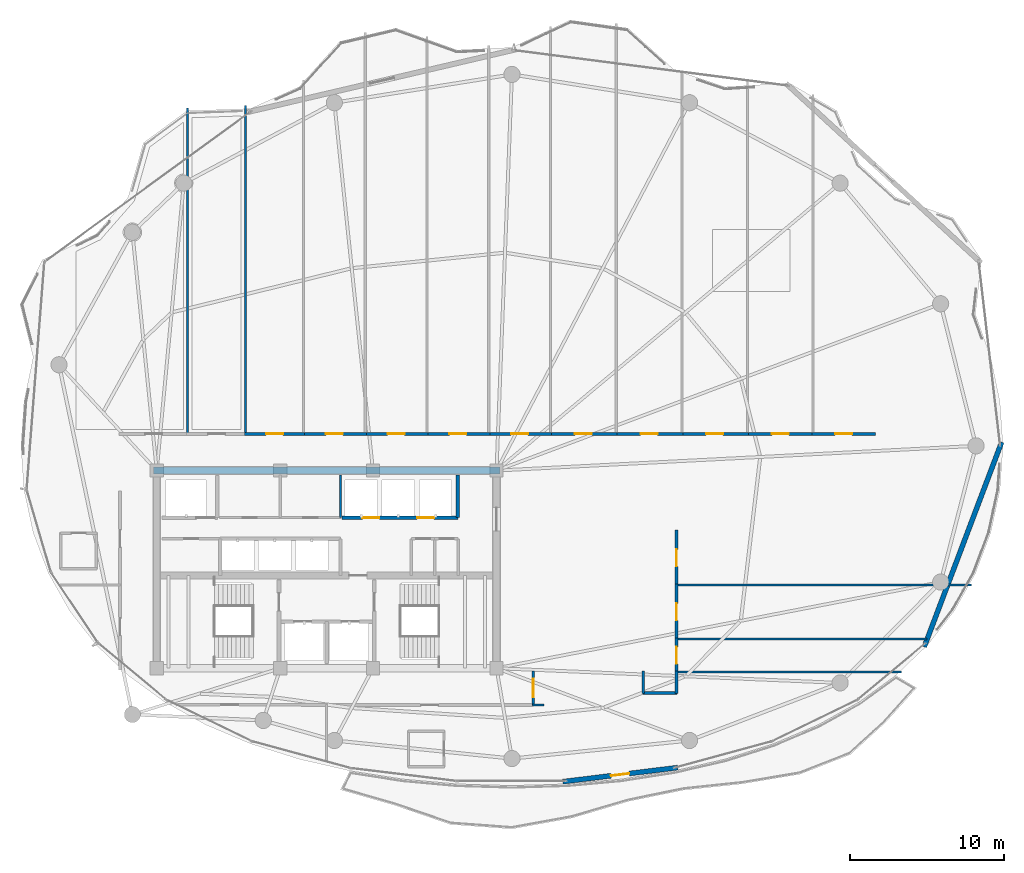
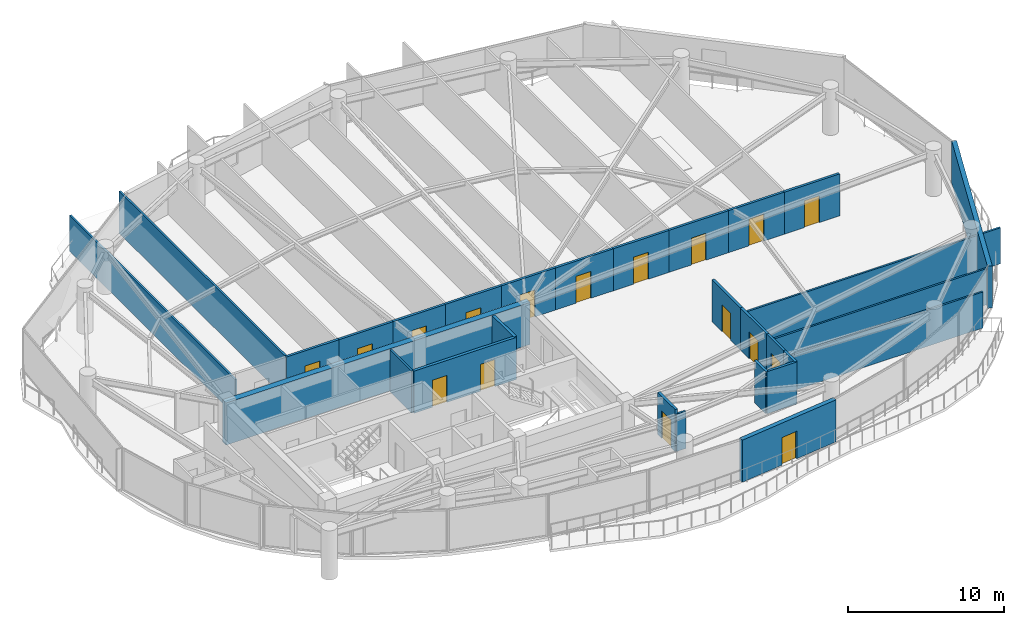
# One storey, part 26 of 31: 29 walls, 17 doors, 17 openings.
"""IFC4 building model written with IfcOpenShell, lengths in metres."""

import ifcopenshell
import ifcopenshell.guid

model = None  # the IFC model being written
_history = None  # IfcOwnerHistory: only IFC2X3 demands one
_inside = {}  # id of a spatial element -> (the spatial element, [elements in it])
_under = {}  # id of a project, library or spatial element -> (it, [spatial elements below it])
_declared = {}  # id of a project -> (the project, [libraries it declares])
_typed = {}  # id of a type object -> (the type object, [elements of that type])
_made_of = {}  # id of a material, layer set ... -> (it, [elements and type objects made of it])


def new_model(schema):
    """Start an empty IFC model of exactly this schema.

    Asked for "IFC4X3", IfcOpenShell would pick the latest addendum, in which some entities
    have other attributes; the version numbers below select the first issue.
    IFC2X3 requires an IfcOwnerHistory on every rooted entity: one is made here for all.
    """
    global model, _history
    if schema == "IFC4X3":
        model = ifcopenshell.file(schema_version=(4, 3, 0, 0))
    else:
        model = ifcopenshell.file(schema=schema)
    _inside.clear()
    _under.clear()
    _declared.clear()
    _typed.clear()
    _made_of.clear()
    _history = None
    if model.schema == "IFC2X3":
        org = make("IfcOrganization", Name="unknown")
        user = make(
            "IfcPersonAndOrganization",
            ThePerson=make("IfcPerson", FamilyName="unknown"),
            TheOrganization=org,
        )
        app = make(
            "IfcApplication",
            ApplicationDeveloper=org,
            Version="unknown",
            ApplicationFullName="unknown",
            ApplicationIdentifier="unknown",
        )
        _history = make(
            "IfcOwnerHistory",
            OwningUser=user,
            OwningApplication=app,
            ChangeAction="ADDED",
            CreationDate=0,
        )
    return model


def make(cls, **values):
    """One entity of the class cls with the attributes given. An attribute that is None is left unset."""
    return model.create_entity(
        cls, **{name: value for name, value in values.items() if value is not None}
    )


def rooted(cls, **values):
    """An entity with a GlobalId (a new one), such as an element, a storey or a relation."""
    return make(cls, GlobalId=ifcopenshell.guid.new(), OwnerHistory=_history, **values)


def si_unit(unit_type, name, prefix=None):
    """IfcSIUnit, for example si_unit("LENGTHUNIT", "METRE", prefix="MILLI")."""
    return make("IfcSIUnit", UnitType=unit_type, Prefix=prefix, Name=name)


def assignment(units):
    """IfcUnitAssignment: the units of a project."""
    return None if units is None else make("IfcUnitAssignment", Units=units)


def point(xyz):
    """IfcCartesianPoint."""
    return None if xyz is None else make("IfcCartesianPoint", Coordinates=xyz)


def direction(xyz):
    """IfcDirection."""
    return None if xyz is None else make("IfcDirection", DirectionRatios=xyz)


def frame(location, z_axis=None, x_axis=None):
    """IfcAxis2Placement3D, a coordinate frame: its origin and axes. An axis left out is left unset."""
    return make(
        "IfcAxis2Placement3D",
        Location=point(location),
        Axis=direction(z_axis),
        RefDirection=direction(x_axis),
    )


def frame_2d(location, x_axis=None):
    """IfcAxis2Placement2D, a coordinate frame in the plane: its origin and x axis."""
    return make(
        "IfcAxis2Placement2D", Location=point(location), RefDirection=direction(x_axis)
    )


def origin():
    """The frame at (0, 0, 0) with its axes left unset."""
    return frame((0.0, 0.0, 0.0))


def place(relative_to, where):
    """IfcLocalPlacement: puts the frame where relative to a parent placement (None: the world)."""
    return make(
        "IfcLocalPlacement", PlacementRelTo=relative_to, RelativePlacement=where
    )


def context(
    kind, dimensions, precision=None, world=None, true_north=None, identifier=None
):
    """IfcGeometricRepresentationContext, for example the 3D "Model" context."""
    return make(
        "IfcGeometricRepresentationContext",
        ContextIdentifier=identifier,
        ContextType=kind,
        CoordinateSpaceDimension=dimensions,
        Precision=precision,
        WorldCoordinateSystem=world,
        TrueNorth=true_north,
    )


def subcontext(parent, identifier, kind, view, scale=None):
    """IfcGeometricRepresentationSubContext, for example "Body" below "Model"."""
    return make(
        "IfcGeometricRepresentationSubContext",
        ContextIdentifier=identifier,
        ContextType=kind,
        ParentContext=parent,
        TargetScale=scale,
        TargetView=view,
    )


def project(units=None, contexts=None):
    """IfcProject with its units and contexts."""
    return rooted(
        "IfcProject",
        Name="project",
        RepresentationContexts=contexts,
        UnitsInContext=assignment(units),
    )


def spatial(cls, under=None, at=None, **own):
    """A site, building, storey or space (cls), placed at a placement, below another one or the project."""
    s = rooted(cls, ObjectPlacement=at, **own)
    if under is not None:
        _under.setdefault(under.id(), (under, []))[1].append(s)
    return s


def profile(cls, at=None, kind="AREA", **sizes):
    """A parametric profile (cls). Its sizes go by their IFC names, for example OverallWidth=200.0."""
    return make(cls, ProfileType=kind, Position=at, **sizes)


def rectangle(**sizes):
    """IfcRectangleProfileDef."""
    return profile("IfcRectangleProfileDef", **sizes)


def extrude(swept, where, along, depth):
    """IfcExtrudedAreaSolid: the profile swept, set in the frame where, extruded along a direction by depth."""
    return make(
        "IfcExtrudedAreaSolid",
        SweptArea=swept,
        Position=where,
        ExtrudedDirection=direction(along),
        Depth=depth,
    )


def shape(context_of_items, identifier, shape_type, items):
    """IfcShapeRepresentation: the items that make up one representation, for example the "Body"."""
    return make(
        "IfcShapeRepresentation",
        ContextOfItems=context_of_items,
        RepresentationIdentifier=identifier,
        RepresentationType=shape_type,
        Items=items,
    )


def material(Name=None, Category=None):
    """IfcMaterial."""
    return make("IfcMaterial", Name=Name, Category=Category)


def layer(
    of_material, thickness, ventilated=None, Name=None, Category=None, Priority=None
):
    """IfcMaterialLayer: one layer of a wall or slab, of a material (None: an air gap)."""
    return make(
        "IfcMaterialLayer",
        Material=of_material,
        LayerThickness=thickness,
        IsVentilated=ventilated,
        Name=Name,
        Category=Category,
        Priority=Priority,
    )


def layer_set(layers, Name=None):
    """IfcMaterialLayerSet."""
    return make("IfcMaterialLayerSet", MaterialLayers=layers, LayerSetName=Name)


def made_of(thing, what):
    """Note that an element or type object is made of a material, layer set ...; save() writes the relation."""
    if what is not None:
        _made_of.setdefault(what.id(), (what, []))[1].append(thing)
    return thing


def type_object(cls, material=None, **own):
    """A type object (cls), such as IfcWallType, which elements share."""
    return made_of(rooted(cls, **own), material)


def element(
    cls,
    number,
    at=None,
    inside=None,
    cuts=None,
    type_object=None,
    material=None,
    context=None,
    identifier="Body",
    shape_type=None,
    held_by="IfcProductDefinitionShape",
    body=None,
    shapes=None,
    **own,
):
    """One element of the class cls, such as IfcWall. Its Tag is "e" and its number.

    at: its placement. inside: the storey or other place that contains it. cuts: it is an
    opening in that element (IfcRelVoidsElement). A single representation is given by context,
    identifier, shape_type and body (its items); several are given by shapes. held_by: the class
    of the entity that holds the representations. save() writes the other relations.
    """
    e = rooted(cls, Tag="e%d" % number, ObjectPlacement=at, **own)
    if body is not None:
        shapes = [shape(context, identifier, shape_type, body)]
    if shapes is not None:
        e.Representation = make(held_by, Representations=shapes)
    if inside is not None:
        _inside.setdefault(inside.id(), (inside, []))[1].append(e)
    if cuts is not None:
        rooted(
            "IfcRelVoidsElement", RelatingBuildingElement=cuts, RelatedOpeningElement=e
        )
    if type_object is not None:
        _typed.setdefault(type_object.id(), (type_object, []))[1].append(e)
    return made_of(e, material)


def fill(opening, filler):
    """IfcRelFillsElement: the door or window that sits in an opening."""
    return rooted(
        "IfcRelFillsElement",
        RelatingOpeningElement=opening,
        RelatedBuildingElement=filler,
    )


def aggregate(whole, parts):
    """IfcRelAggregates: a whole, such as a stair, and the parts it consists of."""
    return rooted("IfcRelAggregates", RelatingObject=whole, RelatedObjects=parts)


def save(model, path):
    """Write the relations noted so far, then the file.

    IfcRelAggregates (storeys below a building ...), IfcRelContainedInSpatialStructure (elements
    in a storey), IfcRelDefinesByType, IfcRelAssociatesMaterial and IfcRelDeclares: one each for
    every whole, place, type object, material and project.
    """
    for whole, parts in _under.values():
        aggregate(whole, parts)
    for where, things in _inside.values():
        rooted(
            "IfcRelContainedInSpatialStructure",
            RelatedElements=things,
            RelatingStructure=where,
        )
    for kind, things in _typed.values():
        rooted("IfcRelDefinesByType", RelatedObjects=things, RelatingType=kind)
    for what, things in _made_of.values():
        rooted("IfcRelAssociatesMaterial", RelatedObjects=things, RelatingMaterial=what)
    for by, libraries in _declared.values():
        rooted("IfcRelDeclares", RelatingContext=by, RelatedDefinitions=libraries)
    model.write(path)


model = new_model("IFC4")

# Units and contexts
model_context = context("Model", 3, precision=1e-05, world=origin(), true_north=direction((0.0, 1.0)))
body_context = subcontext(model_context, "Body", "Model", "MODEL_VIEW")
ifc_project = project(units=[si_unit("LENGTHUNIT", "METRE"), si_unit("AREAUNIT", "SQUARE_METRE"), si_unit("VOLUMEUNIT", "CUBIC_METRE"), si_unit("PLANEANGLEUNIT", "RADIAN"), si_unit("MASSUNIT", "GRAM", prefix="KILO")], contexts=[model_context])

# Site, building, storey
site_placement = place(None, origin())
site = spatial("IfcSite", under=ifc_project, at=site_placement, CompositionType="ELEMENT")
building_placement = place(site_placement, origin())
building = spatial("IfcBuilding", under=site, at=building_placement, Name="Kazevale Care Tower and Concert Hall", CompositionType="ELEMENT")
storey_placement = place(building_placement, frame((0.0, 0.0, 187.199951171875)))
storey = spatial("IfcBuildingStorey", under=building, at=storey_placement, Name="L49", CompositionType="ELEMENT", Elevation=187.199951171875)

# Walls
ifc_material_1 = material(Name="Acoustic Gypsum on Steel Stud", Category="steel")
ifc_layer_1 = layer(ifc_material_1, 0.139892578125)
ifc_layer_set_1 = layer_set([ifc_layer_1], Name="Acoustic Gypsum on Steel Stud")
wall_type_1 = type_object("IfcWallType", Name="Acoustic Care & Suite Partition 140", PredefinedType="PARTITIONING", material=ifc_layer_set_1)
wall_1_placement = place(storey_placement, frame((33.89990234375, 33.35009765625, 0.0), z_axis=(0.0, 0.0, 1.0), x_axis=(0.0, 1.0, 0.0)))
element("IfcWall", 1, at=wall_1_placement, inside=storey, type_object=wall_type_1, Name="wall:L49:c_rpl_e", PredefinedType="PARTITIONING", context=body_context, shape_type="SweptSolid", body=[
    extrude(rectangle(XDim=2.75, YDim=0.139892578125, at=frame_2d((1.375, 0.0))), origin(), (0.0, 0.0, 1.0), 3.280029296875),
])
wall_2_placement = place(storey_placement, frame((24.0, 59.884033203125, 0.0), z_axis=(0.0, 0.0, 1.0), x_axis=(0.0, -1.0, 0.0)))
element("IfcWall", 2, at=wall_2_placement, inside=storey, type_object=wall_type_1, Name="wall:L49:auto_024", PredefinedType="PARTITIONING", context=body_context, shape_type="SweptSolid", body=[
    extrude(rectangle(XDim=21.138916015625, YDim=0.139892578125, at=frame_2d((10.5693359375, 0.0))), origin(), (0.0, 0.0, 1.0), 2.81005859375),
])
wall_3_placement = place(storey_placement, frame((27.75, 60.032958984375, 0.0), z_axis=(0.0, 0.0, 1.0), x_axis=(0.0, -1.0, 0.0)))
element("IfcWall", 3, at=wall_3_placement, inside=storey, type_object=wall_type_1, Name="wall:L49:auto_025", PredefinedType="PARTITIONING", context=body_context, shape_type="SweptSolid", body=[
    extrude(rectangle(XDim=21.287841796875, YDim=0.139892578125, at=frame_2d((10.64404296875, 0.0))), origin(), (0.0, 0.0, 1.0), 3.280029296875),
])
wall_4_placement = place(storey_placement, frame((55.6201171875, 23.360107421875, 0.0), z_axis=(0.0, 0.0, 1.0), x_axis=(1.0, 0.0, 0.0)))
element("IfcWall", 4, at=wall_4_placement, inside=storey, type_object=wall_type_1, Name="wall:L49:auto_035", PredefinedType="PARTITIONING", context=body_context, shape_type="SweptSolid", body=[
    extrude(rectangle(XDim=14.594970703125, YDim=0.139892578125, at=frame_2d((7.29736328125, 0.0))), origin(), (0.0, 0.0, 1.0), 2.81005859375),
])
wall_5_placement = place(storey_placement, frame((47.06494140625, 21.22509765625, 0.0), z_axis=(0.0, 0.0, 1.0), x_axis=(-1.0, 0.0, 0.0)))
element("IfcWall", 5, at=wall_5_placement, inside=storey, type_object=wall_type_1, Name="wall:L49:auto_036", PredefinedType="PARTITIONING", context=body_context, shape_type="SweptSolid", body=[
    extrude(rectangle(XDim=0.719970703125, YDim=0.139892578125, at=frame_2d((0.35986328125, 0.0))), origin(), (0.0, 0.0, 1.0), 2.916015625),
])
wall_6_placement = place(storey_placement, frame((55.6201171875, 25.5, 0.0), z_axis=(0.0, 0.0, 1.0), x_axis=(1.0, 0.0, 0.0)))
element("IfcWall", 6, at=wall_6_placement, inside=storey, type_object=wall_type_1, Name="wall:L49:auto_037", PredefinedType="PARTITIONING", context=body_context, shape_type="SweptSolid", body=[
    extrude(rectangle(XDim=16.263916015625, YDim=0.139892578125, at=frame_2d((8.1318359375, 0.0))), origin(), (0.0, 0.0, 1.0), 2.81005859375),
])
wall_7_placement = place(storey_placement, frame((55.6201171875, 29.0, 0.0), z_axis=(0.0, 0.0, 1.0), x_axis=(1.0, 0.0, 0.0)))
element("IfcWall", 7, at=wall_7_placement, inside=storey, type_object=wall_type_1, Name="wall:L49:auto_038", PredefinedType="PARTITIONING", context=body_context, shape_type="SweptSolid", body=[
    extrude(rectangle(XDim=19.14990234375, YDim=0.139892578125, at=frame_2d((9.574951171875, 0.0))), origin(), (0.0, 0.0, 1.0), 2.81005859375),
])
ifc_material_2 = material(Name="Concrete C50", Category="concrete")
ifc_layer_2 = layer(ifc_material_2, 0.449951171875)
ifc_layer_set_2 = layer_set([ifc_layer_2], Name="Concrete C50")
wall_type_2 = type_object("IfcWallType", Name="Core Shear Wall 450 C50", PredefinedType="SHEAR", material=ifc_layer_set_2)
wall_8_placement = place(storey_placement, frame((21.77490234375, 36.39990234375, 0.0), z_axis=(0.0, 0.0, 1.0), x_axis=(1.0, 0.0, 0.0)))
element("IfcWall", 8, at=wall_8_placement, inside=storey, type_object=wall_type_2, Name="wall:L49:core:N", PredefinedType="SHEAR", context=body_context, shape_type="SweptSolid", body=[
    extrude(rectangle(XDim=22.4501953125, YDim=0.449951171875, at=frame_2d((11.22509765625, 0.0))), origin(), (0.0, 0.0, 1.0), 3.280029296875),
])

# Wall, openings, doors
ifc_material_3 = material(Name="Concrete C40", Category="concrete")
ifc_layer_3 = layer(ifc_material_3, 0.219970703125)
ifc_layer_set_3 = layer_set([ifc_layer_3], Name="Concrete C40")
wall_type_3 = type_object("IfcWallType", Name="Elevator Hoistway Shaft Wall 220", PredefinedType="SOLIDWALL", material=ifc_layer_set_3)
wall_9_placement = place(storey_placement, frame((33.97998046875, 33.35009765625, 0.0), z_axis=(0.0, 0.0, 1.0), x_axis=(1.0, 0.0, 0.0)))
wall_9 = element("IfcWall", 9, at=wall_9_placement, inside=storey, type_object=wall_type_3, Name="wall:L49:c_pm_s", PredefinedType="SOLIDWALL", context=body_context, shape_type="SweptSolid", body=[
    extrude(rectangle(XDim=7.5400390625, YDim=0.219970703125, at=frame_2d((3.77001953125, 0.0))), origin(), (0.0, 0.0, 1.0), 3.280029296875),
])
opening_1_placement = place(wall_9_placement, frame((1.3349609375, 0.0, 0.0)))
opening_1 = element("IfcOpeningElement", 10, at=opening_1_placement, cuts=wall_9, Name="Opening LD-PAX", PredefinedType="OPENING", context=body_context, shape_type="SweptSolid", body=[
    extrude(rectangle(XDim=1.10009765625, YDim=2.10009765625, at=frame_2d((0.550048828125, 1.050048828125))), frame((0.0, 0.119873046875, 0.0), z_axis=(0.0, -1.0, 0.0), x_axis=(1.0, 0.0, 0.0)), (0.0, 0.0, 1.0), 0.239990234375),
])
opening_2_placement = place(wall_9_placement, frame((4.87890625, 0.0, 0.0)))
opening_2 = element("IfcOpeningElement", 11, at=opening_2_placement, cuts=wall_9, Name="Opening LD-PAX", PredefinedType="OPENING", context=body_context, shape_type="SweptSolid", body=[
    extrude(rectangle(XDim=1.10009765625, YDim=2.10009765625, at=frame_2d((0.550048828125, 1.050048828125))), frame((0.0, 0.119873046875, 0.0), z_axis=(0.0, -1.0, 0.0), x_axis=(1.0, 0.0, 0.0)), (0.0, 0.0, 1.0), 0.239990234375),
])
ifc_material_4 = material(Name="Stainless Steel 316", Category="steel")
door_type_1 = type_object("IfcDoorType", Name="Passenger Lift Sliding Landing Door 1100x2100", OperationType="NOTDEFINED", PredefinedType="DOOR", material=ifc_material_4)
door_1_placement = place(opening_1_placement, origin())
door_1 = element("IfcDoor", 12, at=door_1_placement, inside=storey, type_object=door_type_1, Name="door:L49:ld_pm1", OperationType="SLIDING_TO_LEFT", OverallHeight=2.10009765625, OverallWidth=1.10009765625, PredefinedType="DOOR", context=body_context, shape_type="SweptSolid", body=[
    extrude(rectangle(XDim=1.10009765625, YDim=2.10009765625, at=frame_2d((0.550048828125, 1.050048828125))), frame((0.0, 0.02490234375, 0.0), z_axis=(0.0, -1.0, 0.0), x_axis=(1.0, 0.0, 0.0)), (0.0, 0.0, 1.0), 0.050048828125),
])
fill(opening_1, door_1)
door_2_placement = place(opening_2_placement, origin())
door_2 = element("IfcDoor", 13, at=door_2_placement, inside=storey, type_object=door_type_1, Name="door:L49:ld_pm2", OperationType="SLIDING_TO_RIGHT", OverallHeight=2.10009765625, OverallWidth=1.10009765625, PredefinedType="DOOR", context=body_context, shape_type="SweptSolid", body=[
    extrude(rectangle(XDim=1.10009765625, YDim=2.10009765625, at=frame_2d((0.550048828125, 1.050048828125))), frame((0.0, 0.02490234375, 0.0), z_axis=(0.0, -1.0, 0.0), x_axis=(1.0, 0.0, 0.0)), (0.0, 0.0, 1.0), 0.050048828125),
])
fill(opening_2, door_2)

# Wall
wall_10_placement = place(storey_placement, frame((41.5, 33.35009765625, 0.0), z_axis=(0.0, 0.0, 1.0), x_axis=(0.0, 1.0, 0.0)))
element("IfcWall", 14, at=wall_10_placement, inside=storey, type_object=wall_type_3, Name="wall:L49:c_pm_e", PredefinedType="SOLIDWALL", context=body_context, shape_type="SweptSolid", body=[
    extrude(rectangle(XDim=2.75, YDim=0.219970703125, at=frame_2d((1.375, 0.0))), origin(), (0.0, 0.0, 1.0), 3.280029296875),
])

# Wall, opening, door
ifc_material_5 = material(Name="Concrete C40 and Acoustic Gypsum", Category="concrete")
ifc_layer_4 = layer(ifc_material_5, 0.179931640625)
ifc_layer_set_4 = layer_set([ifc_layer_4], Name="Concrete C40 and Acoustic Gypsum")
wall_type_4 = type_object("IfcWallType", Name="Fire-Rated Corridor & Party Wall 180", PredefinedType="PARTITIONING", material=ifc_layer_set_4)
wall_11_placement = place(storey_placement, frame((27.68505859375, 38.77490234375, 0.0), z_axis=(0.0, 0.0, 1.0), x_axis=(1.0, 0.0, 0.0)))
wall_11 = element("IfcWall", 15, at=wall_11_placement, inside=storey, type_object=wall_type_4, Name="wall:L49:auto_003", PredefinedType="PARTITIONING", context=body_context, shape_type="SweptSolid", body=[
    extrude(rectangle(XDim=3.8798828125, YDim=0.179931640625, at=frame_2d((1.93994140625, 0.0))), origin(), (0.0, 0.0, 1.0), 3.280029296875),
])
opening_3_placement = place(wall_11_placement, frame((1.389892578125, 0.0, 0.0)))
opening_3 = element("IfcOpeningElement", 16, at=opening_3_placement, cuts=wall_11, Name="Opening ID-1100", PredefinedType="OPENING", context=body_context, shape_type="SweptSolid", body=[
    extrude(rectangle(XDim=1.10009765625, YDim=2.10009765625, at=frame_2d((0.550048828125, 1.050048828125))), frame((0.0, 0.099853515625, 0.0), z_axis=(0.0, -1.0, 0.0), x_axis=(1.0, 0.0, 0.0)), (0.0, 0.0, 1.0), 0.199951171875),
])
ifc_material_6 = material(Name="Oak Timber Fire Leaf", Category="wood")
door_type_2 = type_object("IfcDoorType", Name="Care Bedroom Accessible Door 1100x2100", OperationType="NOTDEFINED", PredefinedType="DOOR", material=ifc_material_6)
door_3_placement = place(opening_3_placement, origin())
door_3 = element("IfcDoor", 17, at=door_3_placement, inside=storey, type_object=door_type_2, Name="door:L49:ad_003", OperationType="SINGLE_SWING_LEFT", OverallHeight=2.10009765625, OverallWidth=1.10009765625, PredefinedType="DOOR", context=body_context, shape_type="SweptSolid", body=[
    extrude(rectangle(XDim=1.10009765625, YDim=2.10009765625, at=frame_2d((0.550048828125, 1.050048828125))), frame((0.0, 0.02490234375, 0.0), z_axis=(0.0, -1.0, 0.0), x_axis=(1.0, 0.0, 0.0)), (0.0, 0.0, 1.0), 0.050048828125),
])
fill(opening_3, door_3)

wall_12_placement = place(storey_placement, frame((31.43505859375, 38.77490234375, 0.0), z_axis=(0.0, 0.0, 1.0), x_axis=(1.0, 0.0, 0.0)))
wall_12 = element("IfcWall", 18, at=wall_12_placement, inside=storey, type_object=wall_type_4, Name="wall:L49:auto_004", PredefinedType="PARTITIONING", context=body_context, shape_type="SweptSolid", body=[
    extrude(rectangle(XDim=4.1298828125, YDim=0.179931640625, at=frame_2d((2.06494140625, 0.0))), origin(), (0.0, 0.0, 1.0), 3.280029296875),
])
opening_4_placement = place(wall_12_placement, frame((1.514892578125, 0.0, 0.0)))
opening_4 = element("IfcOpeningElement", 19, at=opening_4_placement, cuts=wall_12, Name="Opening ID-1100", PredefinedType="OPENING", context=body_context, shape_type="SweptSolid", body=[
    extrude(rectangle(XDim=1.10009765625, YDim=2.10009765625, at=frame_2d((0.550048828125, 1.050048828125))), frame((0.0, 0.099853515625, 0.0), z_axis=(0.0, -1.0, 0.0), x_axis=(1.0, 0.0, 0.0)), (0.0, 0.0, 1.0), 0.199951171875),
])
door_4_placement = place(opening_4_placement, origin())
door_4 = element("IfcDoor", 20, at=door_4_placement, inside=storey, type_object=door_type_2, Name="door:L49:ad_004", OperationType="SINGLE_SWING_LEFT", OverallHeight=2.10009765625, OverallWidth=1.10009765625, PredefinedType="DOOR", context=body_context, shape_type="SweptSolid", body=[
    extrude(rectangle(XDim=1.10009765625, YDim=2.10009765625, at=frame_2d((0.550048828125, 1.050048828125))), frame((0.0, 0.02490234375, 0.0), z_axis=(0.0, -1.0, 0.0), x_axis=(1.0, 0.0, 0.0)), (0.0, 0.0, 1.0), 0.050048828125),
])
fill(opening_4, door_4)

wall_13_placement = place(storey_placement, frame((35.43505859375, 38.77490234375, 0.0), z_axis=(0.0, 0.0, 1.0), x_axis=(1.0, 0.0, 0.0)))
wall_13 = element("IfcWall", 21, at=wall_13_placement, inside=storey, type_object=wall_type_4, Name="wall:L49:auto_005", PredefinedType="PARTITIONING", context=body_context, shape_type="SweptSolid", body=[
    extrude(rectangle(XDim=4.1298828125, YDim=0.179931640625, at=frame_2d((2.06494140625, 0.0))), origin(), (0.0, 0.0, 1.0), 3.280029296875),
])
opening_5_placement = place(wall_13_placement, frame((1.514892578125, 0.0, 0.0)))
opening_5 = element("IfcOpeningElement", 22, at=opening_5_placement, cuts=wall_13, Name="Opening ID-1100", PredefinedType="OPENING", context=body_context, shape_type="SweptSolid", body=[
    extrude(rectangle(XDim=1.10009765625, YDim=2.10009765625, at=frame_2d((0.550048828125, 1.050048828125))), frame((0.0, 0.099853515625, 0.0), z_axis=(0.0, -1.0, 0.0), x_axis=(1.0, 0.0, 0.0)), (0.0, 0.0, 1.0), 0.199951171875),
])
door_5_placement = place(opening_5_placement, origin())
door_5 = element("IfcDoor", 23, at=door_5_placement, inside=storey, type_object=door_type_2, Name="door:L49:ad_005", OperationType="SINGLE_SWING_LEFT", OverallHeight=2.10009765625, OverallWidth=1.10009765625, PredefinedType="DOOR", context=body_context, shape_type="SweptSolid", body=[
    extrude(rectangle(XDim=1.10009765625, YDim=2.10009765625, at=frame_2d((0.550048828125, 1.050048828125))), frame((0.0, 0.02490234375, 0.0), z_axis=(0.0, -1.0, 0.0), x_axis=(1.0, 0.0, 0.0)), (0.0, 0.0, 1.0), 0.050048828125),
])
fill(opening_5, door_5)

wall_14_placement = place(storey_placement, frame((39.43505859375, 38.77490234375, 0.0), z_axis=(0.0, 0.0, 1.0), x_axis=(1.0, 0.0, 0.0)))
wall_14 = element("IfcWall", 24, at=wall_14_placement, inside=storey, type_object=wall_type_4, Name="wall:L49:auto_006", PredefinedType="PARTITIONING", context=body_context, shape_type="SweptSolid", body=[
    extrude(rectangle(XDim=4.1298828125, YDim=0.179931640625, at=frame_2d((2.06494140625, 0.0))), origin(), (0.0, 0.0, 1.0), 3.280029296875),
])
opening_6_placement = place(wall_14_placement, frame((1.514892578125, 0.0, 0.0)))
opening_6 = element("IfcOpeningElement", 25, at=opening_6_placement, cuts=wall_14, Name="Opening ID-1100", PredefinedType="OPENING", context=body_context, shape_type="SweptSolid", body=[
    extrude(rectangle(XDim=1.10009765625, YDim=2.10009765625, at=frame_2d((0.550048828125, 1.050048828125))), frame((0.0, 0.099853515625, 0.0), z_axis=(0.0, -1.0, 0.0), x_axis=(1.0, 0.0, 0.0)), (0.0, 0.0, 1.0), 0.199951171875),
])
door_6_placement = place(opening_6_placement, origin())
door_6 = element("IfcDoor", 26, at=door_6_placement, inside=storey, type_object=door_type_2, Name="door:L49:ad_006", OperationType="SINGLE_SWING_LEFT", OverallHeight=2.10009765625, OverallWidth=1.10009765625, PredefinedType="DOOR", context=body_context, shape_type="SweptSolid", body=[
    extrude(rectangle(XDim=1.10009765625, YDim=2.10009765625, at=frame_2d((0.550048828125, 1.050048828125))), frame((0.0, 0.02490234375, 0.0), z_axis=(0.0, -1.0, 0.0), x_axis=(1.0, 0.0, 0.0)), (0.0, 0.0, 1.0), 0.050048828125),
])
fill(opening_6, door_6)

wall_15_placement = place(storey_placement, frame((43.43505859375, 38.77490234375, 0.0), z_axis=(0.0, 0.0, 1.0), x_axis=(1.0, 0.0, 0.0)))
wall_15 = element("IfcWall", 27, at=wall_15_placement, inside=storey, type_object=wall_type_4, Name="wall:L49:auto_007", PredefinedType="PARTITIONING", context=body_context, shape_type="SweptSolid", body=[
    extrude(rectangle(XDim=4.1298828125, YDim=0.179931640625, at=frame_2d((2.06494140625, 0.0))), origin(), (0.0, 0.0, 1.0), 3.280029296875),
])
opening_7_placement = place(wall_15_placement, frame((1.514892578125, 0.0, 0.0)))
opening_7 = element("IfcOpeningElement", 28, at=opening_7_placement, cuts=wall_15, Name="Opening ID-1100", PredefinedType="OPENING", context=body_context, shape_type="SweptSolid", body=[
    extrude(rectangle(XDim=1.10009765625, YDim=2.10009765625, at=frame_2d((0.550048828125, 1.050048828125))), frame((0.0, 0.099853515625, 0.0), z_axis=(0.0, -1.0, 0.0), x_axis=(1.0, 0.0, 0.0)), (0.0, 0.0, 1.0), 0.199951171875),
])
door_7_placement = place(opening_7_placement, origin())
door_7 = element("IfcDoor", 29, at=door_7_placement, inside=storey, type_object=door_type_2, Name="door:L49:ad_007", OperationType="SINGLE_SWING_LEFT", OverallHeight=2.10009765625, OverallWidth=1.10009765625, PredefinedType="DOOR", context=body_context, shape_type="SweptSolid", body=[
    extrude(rectangle(XDim=1.10009765625, YDim=2.10009765625, at=frame_2d((0.550048828125, 1.050048828125))), frame((0.0, 0.02490234375, 0.0), z_axis=(0.0, -1.0, 0.0), x_axis=(1.0, 0.0, 0.0)), (0.0, 0.0, 1.0), 0.050048828125),
])
fill(opening_7, door_7)

wall_16_placement = place(storey_placement, frame((47.43505859375, 38.77490234375, 0.0), z_axis=(0.0, 0.0, 1.0), x_axis=(1.0, 0.0, 0.0)))
wall_16 = element("IfcWall", 30, at=wall_16_placement, inside=storey, type_object=wall_type_4, Name="wall:L49:auto_008", PredefinedType="PARTITIONING", context=body_context, shape_type="SweptSolid", body=[
    extrude(rectangle(XDim=4.3798828125, YDim=0.179931640625, at=frame_2d((2.18994140625, 0.0))), origin(), (0.0, 0.0, 1.0), 3.280029296875),
])
opening_8_placement = place(wall_16_placement, frame((1.639892578125, 0.0, 0.0)))
opening_8 = element("IfcOpeningElement", 31, at=opening_8_placement, cuts=wall_16, Name="Opening ID-1100", PredefinedType="OPENING", context=body_context, shape_type="SweptSolid", body=[
    extrude(rectangle(XDim=1.10009765625, YDim=2.10009765625, at=frame_2d((0.550048828125, 1.050048828125))), frame((0.0, 0.099853515625, 0.0), z_axis=(0.0, -1.0, 0.0), x_axis=(1.0, 0.0, 0.0)), (0.0, 0.0, 1.0), 0.199951171875),
])
door_8_placement = place(opening_8_placement, origin())
door_8 = element("IfcDoor", 32, at=door_8_placement, inside=storey, type_object=door_type_2, Name="door:L49:ad_008", OperationType="SINGLE_SWING_LEFT", OverallHeight=2.10009765625, OverallWidth=1.10009765625, PredefinedType="DOOR", context=body_context, shape_type="SweptSolid", body=[
    extrude(rectangle(XDim=1.10009765625, YDim=2.10009765625, at=frame_2d((0.550048828125, 1.050048828125))), frame((0.0, 0.02490234375, 0.0), z_axis=(0.0, -1.0, 0.0), x_axis=(1.0, 0.0, 0.0)), (0.0, 0.0, 1.0), 0.050048828125),
])
fill(opening_8, door_8)

wall_17_placement = place(storey_placement, frame((51.68505859375, 38.77490234375, 0.0), z_axis=(0.0, 0.0, 1.0), x_axis=(1.0, 0.0, 0.0)))
wall_17 = element("IfcWall", 33, at=wall_17_placement, inside=storey, type_object=wall_type_4, Name="wall:L49:auto_009", PredefinedType="PARTITIONING", context=body_context, shape_type="SweptSolid", body=[
    extrude(rectangle(XDim=4.3798828125, YDim=0.179931640625, at=frame_2d((2.18994140625, 0.0))), origin(), (0.0, 0.0, 1.0), 3.280029296875),
])
opening_9_placement = place(wall_17_placement, frame((1.639892578125, 0.0, 0.0)))
opening_9 = element("IfcOpeningElement", 34, at=opening_9_placement, cuts=wall_17, Name="Opening ID-1100", PredefinedType="OPENING", context=body_context, shape_type="SweptSolid", body=[
    extrude(rectangle(XDim=1.10009765625, YDim=2.10009765625, at=frame_2d((0.550048828125, 1.050048828125))), frame((0.0, 0.099853515625, 0.0), z_axis=(0.0, -1.0, 0.0), x_axis=(1.0, 0.0, 0.0)), (0.0, 0.0, 1.0), 0.199951171875),
])
door_9_placement = place(opening_9_placement, origin())
door_9 = element("IfcDoor", 35, at=door_9_placement, inside=storey, type_object=door_type_2, Name="door:L49:ad_009", OperationType="SINGLE_SWING_LEFT", OverallHeight=2.10009765625, OverallWidth=1.10009765625, PredefinedType="DOOR", context=body_context, shape_type="SweptSolid", body=[
    extrude(rectangle(XDim=1.10009765625, YDim=2.10009765625, at=frame_2d((0.550048828125, 1.050048828125))), frame((0.0, 0.02490234375, 0.0), z_axis=(0.0, -1.0, 0.0), x_axis=(1.0, 0.0, 0.0)), (0.0, 0.0, 1.0), 0.050048828125),
])
fill(opening_9, door_9)

wall_18_placement = place(storey_placement, frame((55.93505859375, 38.77490234375, 0.0), z_axis=(0.0, 0.0, 1.0), x_axis=(1.0, 0.0, 0.0)))
wall_18 = element("IfcWall", 36, at=wall_18_placement, inside=storey, type_object=wall_type_4, Name="wall:L49:auto_010", PredefinedType="PARTITIONING", context=body_context, shape_type="SweptSolid", body=[
    extrude(rectangle(XDim=4.3798828125, YDim=0.179931640625, at=frame_2d((2.18994140625, 0.0))), origin(), (0.0, 0.0, 1.0), 3.280029296875),
])
opening_10_placement = place(wall_18_placement, frame((1.639892578125, 0.0, 0.0)))
opening_10 = element("IfcOpeningElement", 37, at=opening_10_placement, cuts=wall_18, Name="Opening ID-1100", PredefinedType="OPENING", context=body_context, shape_type="SweptSolid", body=[
    extrude(rectangle(XDim=1.10009765625, YDim=2.10009765625, at=frame_2d((0.550048828125, 1.050048828125))), frame((0.0, 0.099853515625, 0.0), z_axis=(0.0, -1.0, 0.0), x_axis=(1.0, 0.0, 0.0)), (0.0, 0.0, 1.0), 0.199951171875),
])
door_10_placement = place(opening_10_placement, origin())
door_10 = element("IfcDoor", 38, at=door_10_placement, inside=storey, type_object=door_type_2, Name="door:L49:ad_010", OperationType="SINGLE_SWING_LEFT", OverallHeight=2.10009765625, OverallWidth=1.10009765625, PredefinedType="DOOR", context=body_context, shape_type="SweptSolid", body=[
    extrude(rectangle(XDim=1.10009765625, YDim=2.10009765625, at=frame_2d((0.550048828125, 1.050048828125))), frame((0.0, 0.02490234375, 0.0), z_axis=(0.0, -1.0, 0.0), x_axis=(1.0, 0.0, 0.0)), (0.0, 0.0, 1.0), 0.050048828125),
])
fill(opening_10, door_10)

wall_19_placement = place(storey_placement, frame((60.18505859375, 38.77490234375, 0.0), z_axis=(0.0, 0.0, 1.0), x_axis=(1.0, 0.0, 0.0)))
wall_19 = element("IfcWall", 39, at=wall_19_placement, inside=storey, type_object=wall_type_4, Name="wall:L49:auto_011", PredefinedType="PARTITIONING", context=body_context, shape_type="SweptSolid", body=[
    extrude(rectangle(XDim=4.3798828125, YDim=0.179931640625, at=frame_2d((2.18994140625, 0.0))), origin(), (0.0, 0.0, 1.0), 3.280029296875),
])
opening_11_placement = place(wall_19_placement, frame((1.639892578125, 0.0, 0.0)))
opening_11 = element("IfcOpeningElement", 40, at=opening_11_placement, cuts=wall_19, Name="Opening ID-1100", PredefinedType="OPENING", context=body_context, shape_type="SweptSolid", body=[
    extrude(rectangle(XDim=1.10009765625, YDim=2.10009765625, at=frame_2d((0.550048828125, 1.050048828125))), frame((0.0, 0.099853515625, 0.0), z_axis=(0.0, -1.0, 0.0), x_axis=(1.0, 0.0, 0.0)), (0.0, 0.0, 1.0), 0.199951171875),
])
door_11_placement = place(opening_11_placement, origin())
door_11 = element("IfcDoor", 41, at=door_11_placement, inside=storey, type_object=door_type_2, Name="door:L49:ad_011", OperationType="SINGLE_SWING_LEFT", OverallHeight=2.10009765625, OverallWidth=1.10009765625, PredefinedType="DOOR", context=body_context, shape_type="SweptSolid", body=[
    extrude(rectangle(XDim=1.10009765625, YDim=2.10009765625, at=frame_2d((0.550048828125, 1.050048828125))), frame((0.0, 0.02490234375, 0.0), z_axis=(0.0, -1.0, 0.0), x_axis=(1.0, 0.0, 0.0)), (0.0, 0.0, 1.0), 0.050048828125),
])
fill(opening_11, door_11)

wall_20_placement = place(storey_placement, frame((64.43505859375, 38.77490234375, 0.0), z_axis=(0.0, 0.0, 1.0), x_axis=(1.0, 0.0, 0.0)))
wall_20 = element("IfcWall", 42, at=wall_20_placement, inside=storey, type_object=wall_type_4, Name="wall:L49:auto_012", PredefinedType="PARTITIONING", context=body_context, shape_type="SweptSolid", body=[
    extrude(rectangle(XDim=4.094970703125, YDim=0.179931640625, at=frame_2d((2.04736328125, 0.0))), origin(), (0.0, 0.0, 1.0), 3.280029296875),
])
opening_12_placement = place(wall_20_placement, frame((1.4970703125, 0.0, 0.0)))
opening_12 = element("IfcOpeningElement", 43, at=opening_12_placement, cuts=wall_20, Name="Opening ID-1100", PredefinedType="OPENING", context=body_context, shape_type="SweptSolid", body=[
    extrude(rectangle(XDim=1.10009765625, YDim=2.10009765625, at=frame_2d((0.550048828125, 1.050048828125))), frame((0.0, 0.099853515625, 0.0), z_axis=(0.0, -1.0, 0.0), x_axis=(1.0, 0.0, 0.0)), (0.0, 0.0, 1.0), 0.199951171875),
])
door_12_placement = place(opening_12_placement, origin())
door_12 = element("IfcDoor", 44, at=door_12_placement, inside=storey, type_object=door_type_2, Name="door:L49:ad_012", OperationType="SINGLE_SWING_LEFT", OverallHeight=2.10009765625, OverallWidth=1.10009765625, PredefinedType="DOOR", context=body_context, shape_type="SweptSolid", body=[
    extrude(rectangle(XDim=1.10009765625, YDim=2.10009765625, at=frame_2d((0.550048828125, 1.050048828125))), frame((0.0, 0.02490234375, 0.0), z_axis=(0.0, -1.0, 0.0), x_axis=(1.0, 0.0, 0.0)), (0.0, 0.0, 1.0), 0.050048828125),
])
fill(opening_12, door_12)

wall_21_placement = place(storey_placement, frame((46.375, 23.425048828125, 0.0), z_axis=(0.0, 0.0, 1.0), x_axis=(0.0, -1.0, 0.0)))
wall_21 = element("IfcWall", 45, at=wall_21_placement, inside=storey, type_object=wall_type_4, Name="wall:L49:auto_013", PredefinedType="PARTITIONING", context=body_context, shape_type="SweptSolid", body=[
    extrude(rectangle(XDim=2.22998046875, YDim=0.179931640625, at=frame_2d((1.114990234375, 0.0))), origin(), (0.0, 0.0, 1.0), 3.280029296875),
])
opening_13_placement = place(wall_21_placement, frame((0.514892578125, 0.0, 0.0)))
opening_13 = element("IfcOpeningElement", 46, at=opening_13_placement, cuts=wall_21, Name="Opening ID-1200", PredefinedType="OPENING", context=body_context, shape_type="SweptSolid", body=[
    extrude(rectangle(XDim=1.199951171875, YDim=2.14990234375, at=frame_2d((0.60009765625, 1.074951171875))), frame((0.0, 0.099853515625, 0.0), z_axis=(0.0, -1.0, 0.0), x_axis=(1.0, 0.0, 0.0)), (0.0, 0.0, 1.0), 0.199951171875),
])
door_type_3 = type_object("IfcDoorType", Name="Clinical & Therapy Door 1200x2150", OperationType="NOTDEFINED", PredefinedType="DOOR", material=ifc_material_6)
door_13_placement = place(opening_13_placement, origin())
door_13 = element("IfcDoor", 47, at=door_13_placement, inside=storey, type_object=door_type_3, Name="door:L49:ad_013", OperationType="SINGLE_SWING_LEFT", OverallHeight=2.14990234375, OverallWidth=1.199951171875, PredefinedType="DOOR", context=body_context, shape_type="SweptSolid", body=[
    extrude(rectangle(XDim=1.199951171875, YDim=2.14990234375, at=frame_2d((0.60009765625, 1.074951171875))), frame((0.0, 0.02490234375, 0.0), z_axis=(0.0, -1.0, 0.0), x_axis=(1.0, 0.0, 0.0)), (0.0, 0.0, 1.0), 0.050048828125),
])
fill(opening_13, door_13)

# Walls
wall_22_placement = place(storey_placement, frame((55.679931640625, 22.0, 0.0), z_axis=(0.0, 0.0, 1.0), x_axis=(-1.0, 0.0, 0.0)))
element("IfcWall", 48, at=wall_22_placement, inside=storey, type_object=wall_type_4, Name="wall:L49:auto_014", PredefinedType="PARTITIONING", context=body_context, shape_type="SweptSolid", body=[
    extrude(rectangle(XDim=2.2099609375, YDim=0.179931640625, at=frame_2d((1.10498046875, 0.0))), origin(), (0.0, 0.0, 1.0), 3.280029296875),
])
for number, where, z_axis, x_axis, name in (
    (49, (55.64990234375, 23.425048828125, 0.0), (0.0, 0.0, 1.0), (0.0, -1.0, 0.0), "wall:L49:auto_015"),
    (50, (53.5, 21.969970703125, 0.0), (0.0, 0.0, 1.0), (0.0, 1.0, 0.0), "wall:L49:auto_016"),
):
    element("IfcWall", number, at=place(storey_placement, frame(where, z_axis=z_axis, x_axis=x_axis)), inside=storey, type_object=wall_type_4, Name=name, PredefinedType="PARTITIONING", context=body_context, shape_type="SweptSolid", body=[
        extrude(rectangle(XDim=1.455078125, YDim=0.179931640625, at=frame_2d((0.7275390625, 0.0))), origin(), (0.0, 0.0, 1.0), 3.280029296875),
    ])

# Wall, opening, door
wall_23_placement = place(storey_placement, frame((55.64990234375, 25.56494140625, 0.0), z_axis=(0.0, 0.0, 1.0), x_axis=(0.0, -1.0, 0.0)))
wall_23 = element("IfcWall", 51, at=wall_23_placement, inside=storey, type_object=wall_type_4, Name="wall:L49:auto_017", PredefinedType="PARTITIONING", context=body_context, shape_type="SweptSolid", body=[
    extrude(rectangle(XDim=2.27001953125, YDim=0.179931640625, at=frame_2d((1.135009765625, 0.0))), origin(), (0.0, 0.0, 1.0), 3.280029296875),
])
opening_14_placement = place(wall_23_placement, frame((0.5849609375, 0.0, 0.0)))
opening_14 = element("IfcOpeningElement", 52, at=opening_14_placement, cuts=wall_23, Name="Opening ID-1100", PredefinedType="OPENING", context=body_context, shape_type="SweptSolid", body=[
    extrude(rectangle(XDim=1.10009765625, YDim=2.10009765625, at=frame_2d((0.550048828125, 1.050048828125))), frame((0.0, 0.099853515625, 0.0), z_axis=(0.0, -1.0, 0.0), x_axis=(1.0, 0.0, 0.0)), (0.0, 0.0, 1.0), 0.199951171875),
])
door_14_placement = place(opening_14_placement, origin())
door_14 = element("IfcDoor", 53, at=door_14_placement, inside=storey, type_object=door_type_2, Name="door:L49:ad_017", OperationType="SINGLE_SWING_LEFT", OverallHeight=2.10009765625, OverallWidth=1.10009765625, PredefinedType="DOOR", context=body_context, shape_type="SweptSolid", body=[
    extrude(rectangle(XDim=1.10009765625, YDim=2.10009765625, at=frame_2d((0.550048828125, 1.050048828125))), frame((0.0, 0.02490234375, 0.0), z_axis=(0.0, -1.0, 0.0), x_axis=(1.0, 0.0, 0.0)), (0.0, 0.0, 1.0), 0.050048828125),
])
fill(opening_14, door_14)

wall_24_placement = place(storey_placement, frame((55.64990234375, 29.06494140625, 0.0), z_axis=(0.0, 0.0, 1.0), x_axis=(0.0, -1.0, 0.0)))
wall_24 = element("IfcWall", 54, at=wall_24_placement, inside=storey, type_object=wall_type_4, Name="wall:L49:auto_018", PredefinedType="PARTITIONING", context=body_context, shape_type="SweptSolid", body=[
    extrude(rectangle(XDim=3.6298828125, YDim=0.179931640625, at=frame_2d((1.81494140625, 0.0))), origin(), (0.0, 0.0, 1.0), 3.280029296875),
])
opening_15_placement = place(wall_24_placement, frame((1.264892578125, 0.0, 0.0)))
opening_15 = element("IfcOpeningElement", 55, at=opening_15_placement, cuts=wall_24, Name="Opening ID-1100", PredefinedType="OPENING", context=body_context, shape_type="SweptSolid", body=[
    extrude(rectangle(XDim=1.10009765625, YDim=2.10009765625, at=frame_2d((0.550048828125, 1.050048828125))), frame((0.0, 0.099853515625, 0.0), z_axis=(0.0, -1.0, 0.0), x_axis=(1.0, 0.0, 0.0)), (0.0, 0.0, 1.0), 0.199951171875),
])
door_15_placement = place(opening_15_placement, origin())
door_15 = element("IfcDoor", 56, at=door_15_placement, inside=storey, type_object=door_type_2, Name="door:L49:ad_018", OperationType="SINGLE_SWING_LEFT", OverallHeight=2.10009765625, OverallWidth=1.10009765625, PredefinedType="DOOR", context=body_context, shape_type="SweptSolid", body=[
    extrude(rectangle(XDim=1.10009765625, YDim=2.10009765625, at=frame_2d((0.550048828125, 1.050048828125))), frame((0.0, 0.02490234375, 0.0), z_axis=(0.0, -1.0, 0.0), x_axis=(1.0, 0.0, 0.0)), (0.0, 0.0, 1.0), 0.050048828125),
])
fill(opening_15, door_15)

wall_25_placement = place(storey_placement, frame((55.64990234375, 32.56494140625, 0.0), z_axis=(0.0, 0.0, 1.0), x_axis=(0.0, -1.0, 0.0)))
wall_25 = element("IfcWall", 57, at=wall_25_placement, inside=storey, type_object=wall_type_4, Name="wall:L49:auto_019", PredefinedType="PARTITIONING", context=body_context, shape_type="SweptSolid", body=[
    extrude(rectangle(XDim=3.6298828125, YDim=0.179931640625, at=frame_2d((1.81494140625, 0.0))), origin(), (0.0, 0.0, 1.0), 3.280029296875),
])
opening_16_placement = place(wall_25_placement, frame((1.264892578125, 0.0, 0.0)))
opening_16 = element("IfcOpeningElement", 58, at=opening_16_placement, cuts=wall_25, Name="Opening ID-1100", PredefinedType="OPENING", context=body_context, shape_type="SweptSolid", body=[
    extrude(rectangle(XDim=1.10009765625, YDim=2.10009765625, at=frame_2d((0.550048828125, 1.050048828125))), frame((0.0, 0.099853515625, 0.0), z_axis=(0.0, -1.0, 0.0), x_axis=(1.0, 0.0, 0.0)), (0.0, 0.0, 1.0), 0.199951171875),
])
door_16_placement = place(opening_16_placement, origin())
door_16 = element("IfcDoor", 59, at=door_16_placement, inside=storey, type_object=door_type_2, Name="door:L49:ad_019", OperationType="SINGLE_SWING_LEFT", OverallHeight=2.10009765625, OverallWidth=1.10009765625, PredefinedType="DOOR", context=body_context, shape_type="SweptSolid", body=[
    extrude(rectangle(XDim=1.10009765625, YDim=2.10009765625, at=frame_2d((0.550048828125, 1.050048828125))), frame((0.0, 0.02490234375, 0.0), z_axis=(0.0, -1.0, 0.0), x_axis=(1.0, 0.0, 0.0)), (0.0, 0.0, 1.0), 0.050048828125),
])
fill(opening_16, door_16)

# Wall
ifc_material_7 = material(Name="Concrete C40 with Honed Limestone Cladding", Category="masonry")
ifc_layer_5 = layer(ifc_material_7, 0.320068359375)
ifc_layer_set_5 = layer_set([ifc_layer_5], Name="Concrete C40 with Honed Limestone Cladding")
wall_type_5 = type_object("IfcWallType", Name="Tower Honed Limestone Spandrel Wall 320", PredefinedType="STANDARD", material=ifc_layer_set_5)
wall_26_placement = place(storey_placement, frame((76.7119140625, 38.242919921875, 0.0), z_axis=(0.0, 0.0, 1.0), x_axis=(-0.353659523244, -0.935374225441, 0.0)))
element("IfcWall", 60, at=wall_26_placement, inside=storey, type_object=wall_type_5, Name="wall:cw:L49:f01", PredefinedType="STANDARD", context=body_context, shape_type="SweptSolid", body=[
    extrude(rectangle(XDim=14.171630859375, YDim=0.320068359375, at=frame_2d((7.0859375, 0.0))), origin(), (0.0, 0.0, 1.0), 3.280029296875),
])

# Wall, opening, door
wall_27_placement = place(storey_placement, frame((55.72705078125, 17.1650390625, 0.0), z_axis=(0.0, 0.0, 1.0), x_axis=(-0.992559081031, -0.121763995755, 0.0)))
wall_27 = element("IfcWall", 61, at=wall_27_placement, inside=storey, type_object=wall_type_5, Name="wall:L49:bal_host", PredefinedType="STANDARD", context=body_context, shape_type="SweptSolid", body=[
    extrude(rectangle(XDim=7.49072265625, YDim=0.320068359375, at=frame_2d((3.745361328125, 0.0))), origin(), (0.0, 0.0, 1.0), 3.280029296875),
])
opening_17_placement = place(wall_27_placement, frame((3.14501953125, 0.0, 0.0)))
opening_17 = element("IfcOpeningElement", 62, at=opening_17_placement, cuts=wall_27, Name="Opening BD-1200", PredefinedType="OPENING", context=body_context, shape_type="SweptSolid", body=[
    extrude(rectangle(XDim=1.199951171875, YDim=2.14990234375, at=frame_2d((0.60009765625, 1.074951171875))), frame((0.0, 0.169921875, 0.0), z_axis=(0.0, -1.0, 0.0), x_axis=(1.0, 0.0, 0.0)), (0.0, 0.0, 1.0), 0.340087890625),
])
ifc_material_8 = material(Name="Aluminium 6063-T6 and Low-E Glass", Category="aluminium")
door_type_4 = type_object("IfcDoorType", Name="Sheltered Balcony Glazed Door 1200x2150", OperationType="NOTDEFINED", PredefinedType="DOOR", material=ifc_material_8)
door_17_placement = place(opening_17_placement, origin())
door_17 = element("IfcDoor", 63, at=door_17_placement, inside=storey, type_object=door_type_4, Name="door:L49:BD-1", OperationType="SINGLE_SWING_LEFT", OverallHeight=2.14990234375, OverallWidth=1.199951171875, PredefinedType="DOOR", context=body_context, shape_type="SweptSolid", body=[
    extrude(rectangle(XDim=1.199951171875, YDim=2.14990234375, at=frame_2d((0.60009765625, 1.074951171875))), frame((0.0, 0.02490234375, 0.0), z_axis=(0.0, -1.0, 0.0), x_axis=(1.0, 0.0, 0.0)), (0.0, 0.0, 1.0), 0.050048828125),
])
fill(opening_17, door_17)

save(model, "model.ifc")
